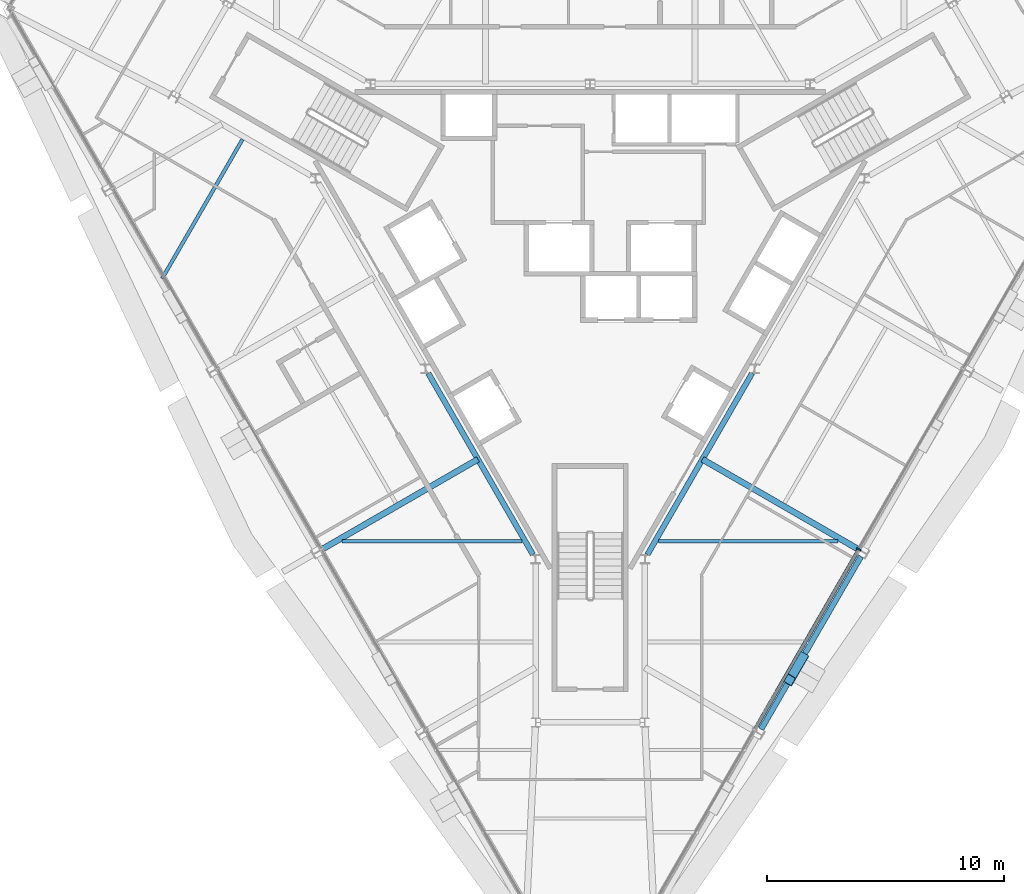
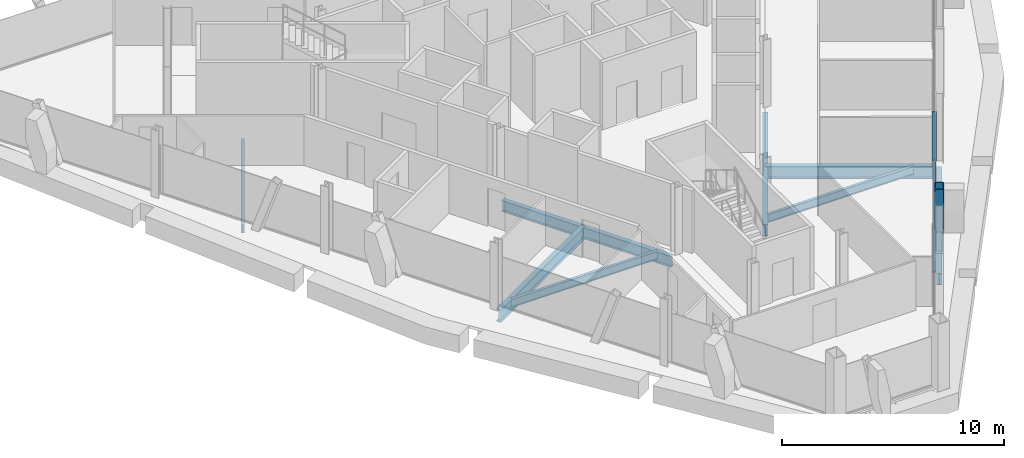
# One storey, part 4 of 14: 8 beams, 3 members, 1 element without a shape of its own.
"""IFC4 building model written with IfcOpenShell, lengths in metres."""

from ifc_helpers import new_model, si_unit, direction, frame, origin, origin_2d, place, context, subcontext, project, spatial, rectangle, hollow_rectangle, i_section, extrude, material, material_profile, profile_set, type_object, element, aggregate, save


model = new_model("IFC4")

# Units and contexts
model_context = context("Model", 3, precision=1e-05, world=origin(), true_north=direction((0.0, 1.0)))
body_context = subcontext(model_context, "Body", "Model", "MODEL_VIEW")
ifc_project = project(units=[si_unit("LENGTHUNIT", "METRE"), si_unit("AREAUNIT", "SQUARE_METRE"), si_unit("VOLUMEUNIT", "CUBIC_METRE"), si_unit("PLANEANGLEUNIT", "RADIAN"), si_unit("MASSUNIT", "GRAM", prefix="KILO")], contexts=[model_context])

# Site, building, storey
site_placement = place(None, origin())
site = spatial("IfcSite", under=ifc_project, at=site_placement, CompositionType="ELEMENT")
building_placement = place(site_placement, origin())
building = spatial("IfcBuilding", under=site, at=building_placement, Name="Verrane Prism Tower", CompositionType="ELEMENT")
storey_placement = place(building_placement, frame((0.0, 0.0, 221.199951171875)))
storey = spatial("IfcBuildingStorey", under=building, at=storey_placement, Name="L55", CompositionType="ELEMENT", Elevation=221.199951171875)

# Beams
ifc_material_1 = material(Name="Steel A992", Category="steel")
ifc_material_profile_1 = material_profile(ifc_material_1, i_section(OverallWidth=0.23046875, OverallDepth=0.6171875, WebThickness=0.01318359375, FlangeThickness=0.022216796875, FilletRadius=0.012939453125, at=origin_2d()), Name="W24x94")
ifc_profile_set_1 = profile_set([ifc_material_profile_1], Name="Steel A992")
beam_type_1 = type_object("IfcBeamType", Name="Core ring girder W24x94", PredefinedType="BEAM", material=ifc_profile_set_1)
for number, where, z_axis, x_axis, name in (
    (1, (-6.818603515625, -4.193115234375, -0.55859375), (0.499987781028, -0.866032458297, 0.0), (0.866032458297, 0.499987781028, 0.0), "Core ring girder L55"),
    (2, (2.411376953125, -11.826904296875, -0.55859375), (0.499987781028, 0.866032458297, 0.0), (-0.866032458297, 0.499987781028, 0.0), "Core ring girder L55"),
):
    element("IfcBeam", number, at=place(storey_placement, frame(where, z_axis=z_axis, x_axis=x_axis)), inside=storey, type_object=beam_type_1, Name=name, PredefinedType="BEAM", context=body_context, shape_type="SweptSolid", body=[
        extrude(i_section(OverallWidth=0.23046875, OverallDepth=0.6171875, WebThickness=0.01318359375, FlangeThickness=0.022216796875, FilletRadius=0.012939453125, at=origin_2d()), origin(), (0.0, 0.0, 1.0), 8.814697265625),
    ])

# Member
ifc_material_2 = material(Name="Steel A500 Grade C", Category="steel")
ifc_material_profile_2 = material_profile(ifc_material_2, hollow_rectangle(XDim=0.406494140625, YDim=0.406494140625, WallThickness=0.01904296875, InnerFilletRadius=0.009521484375, OuterFilletRadius=0.028564453125, at=origin_2d()), Name="HSS16x16x3/4")
ifc_profile_set_2 = profile_set([ifc_material_profile_2], Name="Steel A500 Grade C")
member_type_1 = type_object("IfcMemberType", Name="Facade brace HSS16x16x3/4", PredefinedType="BRACE", material=ifc_profile_set_2)
member_1_placement = place(storey_placement, frame((8.947021484375, -16.164306640625, -0.216552734375), z_axis=(-0.161195573592, -0.278856048349, 0.946707606051), x_axis=(0.865759151662, -0.500460878904, 0.0)))
element("IfcMember", 3, at=member_1_placement, inside=storey, type_object=member_type_1, Name="Facade brace SE1 L55", PredefinedType="BRACE", context=body_context, shape_type="SweptSolid", body=[
    extrude(hollow_rectangle(XDim=0.406494140625, YDim=0.406494140625, WallThickness=0.01904296875, InnerFilletRadius=0.009521484375, OuterFilletRadius=0.028564453125, at=origin_2d()), origin(), (0.0, 0.0, 1.0), 3.3759765625),
])

# Beams
ifc_material_3 = material(Name="Steel A992", Category="steel")
ifc_material_profile_3 = material_profile(ifc_material_3, i_section(OverallWidth=0.15234375, OverallDepth=0.449462890625, WebThickness=0.007568359375, FlangeThickness=0.0107421875, FilletRadius=0.01025390625, at=origin_2d()), Name="W18x35")
ifc_profile_set_3 = profile_set([ifc_material_profile_3], Name="Steel A992")
beam_type_2 = type_object("IfcBeamType", Name="Floor beam W18x35", PredefinedType="BEAM", material=ifc_profile_set_3)
beam_1_placement = place(storey_placement, frame((-18.029541015625, -0.203125, -0.384765625), z_axis=(0.500004319728, 0.866022909774, 0.0), x_axis=(-0.866022909774, 0.500004319728, 0.0)))
element("IfcBeam", 4, at=beam_1_placement, inside=storey, type_object=beam_type_2, Name="Floor beam L55", PredefinedType="BEAM", context=body_context, shape_type="SweptSolid", body=[
    extrude(i_section(OverallWidth=0.15234375, OverallDepth=0.449462890625, WebThickness=0.007568359375, FlangeThickness=0.0107421875, FilletRadius=0.01025390625, at=origin_2d()), origin(), (0.0, 0.0, 1.0), 6.77294921875),
])
for number, where, z_axis, x_axis, name in (
    (5, (-10.443115234375, -11.260009765625, -0.384765625), (1.0, 0.0, 0.0), (0.0, 1.0, 0.0), "Floor beam L55"),
    (6, (2.87158203125, -11.260009765625, -0.384765625), (1.0, 0.0, 0.0), (0.0, 1.0, 0.0), "Floor beam L55"),
):
    element("IfcBeam", number, at=place(storey_placement, frame(where, z_axis=z_axis, x_axis=x_axis)), inside=storey, type_object=beam_type_2, Name=name, PredefinedType="BEAM", context=body_context, shape_type="SweptSolid", body=[
        extrude(i_section(OverallWidth=0.15234375, OverallDepth=0.449462890625, WebThickness=0.007568359375, FlangeThickness=0.0107421875, FilletRadius=0.01025390625, at=origin_2d()), origin(), (0.0, 0.0, 1.0), 7.571533203125),
    ])

# Curtain wall, member
ifc_material_4 = material(Name="Aluminium framed insulated glazing", Category="aluminium")
curtain_wall_type = type_object("IfcCurtainWallType", Name="Curtain wall CW-A 8400 module", PredefinedType="NOTDEFINED", material=ifc_material_4)
curtain_wall_placement = place(storey_placement, origin())
curtain_wall = element("IfcCurtainWall", 7, at=curtain_wall_placement, inside=storey, type_object=curtain_wall_type, Name="Glazed curtain wall south-east face L55", PredefinedType="NOTDEFINED")
ifc_material_5 = material(Name="Aluminium alloy 6063-T6", Category="aluminium")
ifc_material_profile_4 = material_profile(ifc_material_5, rectangle(XDim=0.199951171875, YDim=0.070068359375, at=origin_2d()), Name="Mullion 70x200 aluminium")
ifc_profile_set_4 = profile_set([ifc_material_profile_4], Name="Aluminium alloy 6063-T6")
member_type_2 = type_object("IfcMemberType", Name="Mullion 70x200 aluminium", PredefinedType="MULLION", material=ifc_profile_set_4)
member_2_placement = place(storey_placement, frame((11.31591796875, -11.603759765625, 0.0), z_axis=(0.0, 0.0, 1.0), x_axis=(-0.866024862365, 0.500000937764, 0.0)))
member_2 = element("IfcMember", 8, at=member_2_placement, type_object=member_type_2, Name="CW54.6 mullion 3", PredefinedType="MULLION", context=body_context, shape_type="SweptSolid", body=[
    extrude(rectangle(XDim=0.199951171875, YDim=0.070068359375, at=origin_2d()), origin(), (0.0, 0.0, 1.0), 2.712890625),
])

# Beams
ifc_material_6 = material(Name="Steel A992", Category="steel")
ifc_material_profile_5 = material_profile(ifc_material_6, i_section(OverallWidth=0.25390625, OverallDepth=0.683349609375, WebThickness=0.012451171875, FlangeThickness=0.01904296875, FilletRadius=0.01513671875, at=origin_2d()), Name="W27x94")
ifc_profile_set_5 = profile_set([ifc_material_profile_5], Name="Steel A992")
beam_type_3 = type_object("IfcBeamType", Name="Radial girder W27x94", PredefinedType="BEAM", material=ifc_profile_set_5)
for number, where, z_axis, x_axis, name in (
    (9, (-11.33740234375, -11.63037109375, -0.5615234375), (0.866033767766, 0.499985512879, 0.0), (-0.499985512879, 0.866033767766, 0.0), "Radial girder L55"),
    (10, (11.33740234375, -11.63037109375, -0.5615234375), (-0.866033767766, 0.499985512879, 0.0), (-0.499985512879, -0.866033767766, 0.0), "Radial girder L55"),
):
    element("IfcBeam", number, at=place(storey_placement, frame(where, z_axis=z_axis, x_axis=x_axis)), inside=storey, type_object=beam_type_3, Name=name, PredefinedType="BEAM", context=body_context, shape_type="SweptSolid", body=[
        extrude(i_section(OverallWidth=0.25390625, OverallDepth=0.683349609375, WebThickness=0.012451171875, FlangeThickness=0.01904296875, FilletRadius=0.01513671875, at=origin_2d()), origin(), (0.0, 0.0, 1.0), 7.632080078125),
    ])
ifc_material_7 = material(Name="Steel A992", Category="steel")
ifc_material_profile_6 = material_profile(ifc_material_7, i_section(OverallWidth=0.23046875, OverallDepth=0.6171875, WebThickness=0.01318359375, FlangeThickness=0.022216796875, FilletRadius=0.012939453125, at=origin_2d()), Name="W24x94")
ifc_profile_set_6 = profile_set([ifc_material_profile_6], Name="Steel A992")
beam_type_4 = type_object("IfcBeamType", Name="Spandrel beam W24x94", PredefinedType="SPANDREL", material=ifc_profile_set_6)
beam_2_placement = place(storey_placement, frame((7.200439453125, -19.186279296875, -0.468505859375), z_axis=(0.500418309917, 0.865783757701, 0.0), x_axis=(-0.865783757701, 0.500418309917, 0.0)))
element("IfcBeam", 11, at=beam_2_placement, inside=storey, type_object=beam_type_4, Name="Spandrel beam L55", PredefinedType="SPANDREL", context=body_context, shape_type="SweptSolid", body=[
    extrude(i_section(OverallWidth=0.23046875, OverallDepth=0.6171875, WebThickness=0.01318359375, FlangeThickness=0.022216796875, FilletRadius=0.012939453125, at=origin_2d()), origin(), (0.0, 0.0, 1.0), 8.411376953125),
])

# Member
ifc_material_8 = material(Name="Aluminium alloy 6063-T6", Category="aluminium")
ifc_material_profile_7 = material_profile(ifc_material_8, rectangle(XDim=0.14990234375, YDim=0.070068359375, at=origin_2d()), Name="Transom 70x150 aluminium")
ifc_profile_set_7 = profile_set([ifc_material_profile_7], Name="Aluminium alloy 6063-T6")
member_type_3 = type_object("IfcMemberType", Name="Transom 70x150 aluminium", PredefinedType="USERDEFINED", material=ifc_profile_set_7)
member_3_placement = place(storey_placement, frame((6.9423828125, -19.178955078125, 0.03515625), z_axis=(0.50001192258, 0.86601852017, 0.0), x_axis=(-0.86601852017, 0.50001192258, 0.0)))
member_3 = element("IfcMember", 12, at=member_3_placement, type_object=member_type_3, Name="CW54.6 transom 2", ObjectType="TRANSOM", PredefinedType="USERDEFINED", context=body_context, shape_type="SweptSolid", body=[
    extrude(rectangle(XDim=0.14990234375, YDim=0.070068359375, at=origin_2d()), origin(), (0.0, 0.0, 1.0), 8.712158203125),
])

aggregate(curtain_wall, [member_2, member_3])

save(model, "model.ifc")
